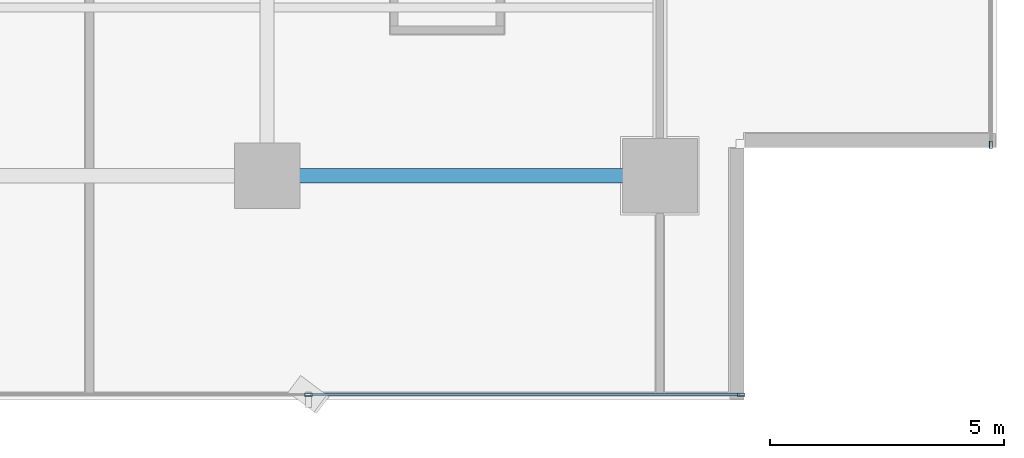
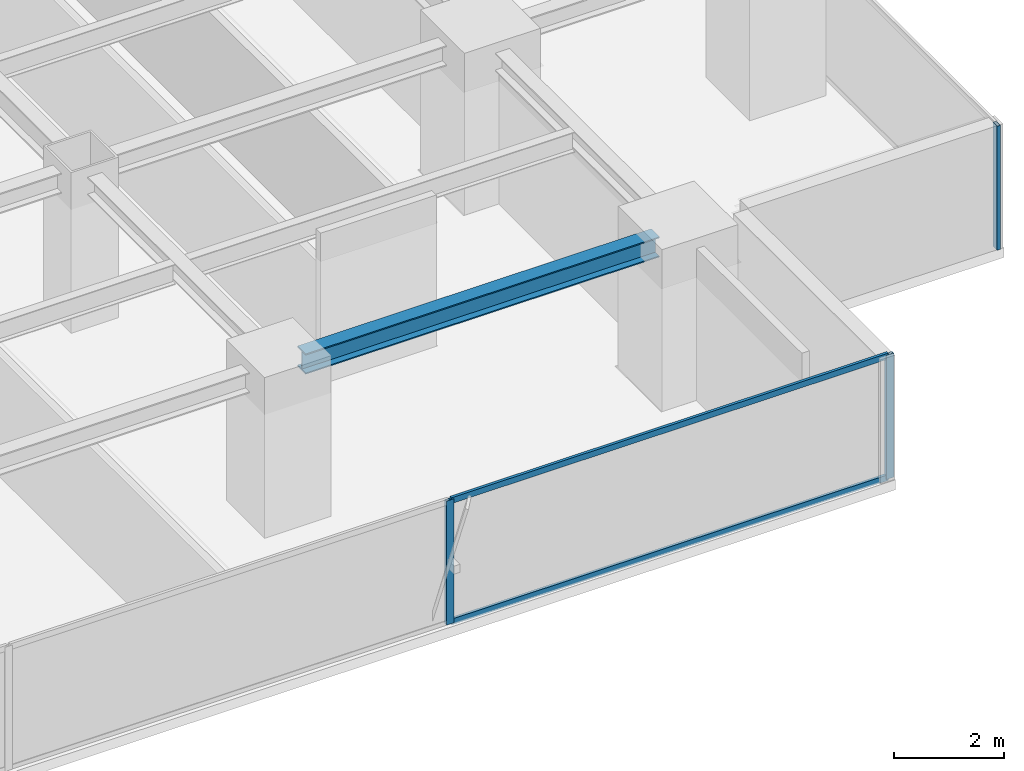
# One storey, part 9 of 27: 5 members, 1 beam, 2 elements without a shape of their own.
"""IFC4 building model written with IfcOpenShell, lengths in metres."""

from ifc_helpers import new_model, si_unit, direction, frame, origin, origin_2d, place, context, subcontext, project, spatial, hollow_rectangle, i_section, extrude, source, transform, mapped, material, layer, layer_set, material_profile, profile_set, type_object, element, aggregate, save


model = new_model("IFC4")

# Units and contexts
model_context = context("Model", 3, precision=1e-05, world=origin(), true_north=direction((0.0, 1.0)))
body_context = subcontext(model_context, "Body", "Model", "MODEL_VIEW")
ifc_project = project(units=[si_unit("LENGTHUNIT", "METRE"), si_unit("AREAUNIT", "SQUARE_METRE"), si_unit("VOLUMEUNIT", "CUBIC_METRE"), si_unit("PLANEANGLEUNIT", "RADIAN"), si_unit("MASSUNIT", "GRAM", prefix="KILO")], contexts=[model_context])

# Site, building, storey
site_placement = place(None, origin())
site = spatial("IfcSite", under=ifc_project, at=site_placement, CompositionType="ELEMENT")
building_placement = place(site_placement, origin())
building = spatial("IfcBuilding", under=site, at=building_placement, Name="Sumidabori Civic Tower", CompositionType="ELEMENT")
storey_placement = place(building_placement, frame((0.0, 0.0, 160.39990234375)))
storey = spatial("IfcBuildingStorey", under=building, at=storey_placement, Name="L41", CompositionType="ELEMENT", Elevation=160.39990234375)

# Beam
ifc_material_1 = material(Name="Steel SN490", Category="steel")
ifc_material_profile_1 = material_profile(ifc_material_1, i_section(OverallWidth=0.300048828125, OverallDepth=0.449951171875, WebThickness=0.013916015625, FlangeThickness=0.02587890625, at=origin_2d()), Name="HE 450 B")
ifc_profile_set_1 = profile_set([ifc_material_profile_1], Name="Steel SN490")
beam_type = type_object("IfcBeamType", Name="BM-GIRD-450", PredefinedType="BEAM", material=ifc_profile_set_1)
shared_shape_1 = source(origin(), body_context, "Body", "SweptSolid", [
    extrude(i_section(OverallWidth=0.300048828125, OverallDepth=0.449951171875, WebThickness=0.013916015625, FlangeThickness=0.02587890625, at=origin_2d()), origin(), (0.0, 0.0, 1.0), 7.440185546875),
])
beam_placement = place(storey_placement, frame((8.8798828125, -18.0, 3.155029296875), z_axis=(1.0, 0.0, 0.0), x_axis=(0.0, 1.0, 0.0)))
element("IfcBeam", 1, at=beam_placement, inside=storey, type_object=beam_type, Name="Primary Girder L41 GX-04", PredefinedType="BEAM", context=body_context, shape_type="MappedRepresentation", body=[
    mapped(shared_shape_1, transform((0.0, 0.0, 0.0), x_axis=(1.0, 0.0, 0.0), y_axis=(0.0, 1.0, 0.0), z_axis=(0.0, 0.0, 1.0), scale=1.0)),
])

# Curtain wall, members
ifc_material_2 = material(Name="Anodised Bronze Aluminium AW-6063-T6", Category="aluminium")
ifc_layer = layer(ifc_material_2, 0.179931640625, Name="Anodised Bronze Aluminium AW-6063-T6")
ifc_layer_set = layer_set([ifc_layer], Name="Anodised Bronze Aluminium AW-6063-T6")
curtain_wall_type = type_object("IfcCurtainWallType", Name="CW-SYS-3", PredefinedType="NOTDEFINED", material=ifc_layer_set)
curtain_wall_1_placement = place(storey_placement, origin())
curtain_wall_1 = element("IfcCurtainWall", 2, at=curtain_wall_1_placement, inside=storey, type_object=curtain_wall_type, Name="Curtain Wall CW:L41:R01", PredefinedType="NOTDEFINED")
ifc_material_profile_2 = material_profile(ifc_material_2, hollow_rectangle(XDim=0.06494140625, YDim=0.159912109375, WallThickness=0.0048828125, at=origin_2d()), Name="ALU MULLION 160x65")
ifc_profile_set_2 = profile_set([ifc_material_profile_2], Name="Anodised Bronze Aluminium AW-6063-T6")
member_type_1 = type_object("IfcMemberType", Name="CW-MUL-160", PredefinedType="MULLION", material=ifc_profile_set_2)
shared_shape_2 = source(origin(), body_context, "Body", "SweptSolid", [
    extrude(hollow_rectangle(XDim=0.06494140625, YDim=0.159912109375, WallThickness=0.0048828125, at=origin_2d()), origin(), (0.0, 0.0, 1.0), 2.760009765625),
])
member_1_placement = place(storey_placement, frame((9.284912109375, -22.679931640625, 0.0), z_axis=(0.0, 0.0, 1.0), x_axis=(0.0, 1.0, 0.0)))
member_1 = element("IfcMember", 3, at=member_1_placement, type_object=member_type_1, Name="CW-3 mullion 4", PredefinedType="MULLION", context=body_context, shape_type="MappedRepresentation", body=[
    mapped(shared_shape_2, transform((0.0, 0.0, 0.0), x_axis=(1.0, 0.0, 0.0), y_axis=(0.0, 1.0, 0.0), z_axis=(0.0, 0.0, 1.0), scale=1.0)),
])
member_2_placement = place(storey_placement, frame((18.53759765625, -22.679931640625, 0.0), z_axis=(0.0, 0.0, 1.0), x_axis=(0.0, 1.0, 0.0)))
member_2 = element("IfcMember", 4, at=member_2_placement, type_object=member_type_1, Name="CW-3 mullion 5", PredefinedType="MULLION", context=body_context, shape_type="MappedRepresentation", body=[
    mapped(shared_shape_2, transform((0.0, 0.0, 0.0), x_axis=(1.0, 0.0, 0.0), y_axis=(0.0, 1.0, 0.0), z_axis=(0.0, 0.0, 1.0), scale=1.0)),
])

# Curtain wall, member
curtain_wall_2_placement = place(storey_placement, origin())
curtain_wall_2 = element("IfcCurtainWall", 5, at=curtain_wall_2_placement, inside=storey, type_object=curtain_wall_type, Name="Curtain Wall CW:L41:R04", PredefinedType="NOTDEFINED")
member_3_placement = place(storey_placement, frame((23.8798828125, -17.33740234375, 0.0), z_axis=(0.0, 0.0, 1.0), x_axis=(-1.0, 0.0, 0.0)))
member_3 = element("IfcMember", 6, at=member_3_placement, type_object=member_type_1, Name="CW-3 mullion 1", PredefinedType="MULLION", context=body_context, shape_type="MappedRepresentation", body=[
    mapped(shared_shape_2, transform((0.0, 0.0, 0.0), x_axis=(1.0, 0.0, 0.0), y_axis=(0.0, 1.0, 0.0), z_axis=(0.0, 0.0, 1.0), scale=1.0)),
])
aggregate(curtain_wall_2, [member_3])

# Member
ifc_material_profile_3 = material_profile(ifc_material_2, hollow_rectangle(XDim=0.06005859375, YDim=0.1298828125, WallThickness=0.0048828125, at=origin_2d()), Name="ALU TRANSOM 130x60")
ifc_profile_set_3 = profile_set([ifc_material_profile_3], Name="Anodised Bronze Aluminium AW-6063-T6")
member_type_2 = type_object("IfcMemberType", Name="CW-TRN-130", PredefinedType="USERDEFINED", material=ifc_profile_set_3)
shared_shape_3 = source(origin(), body_context, "Body", "SweptSolid", [
    extrude(hollow_rectangle(XDim=0.06005859375, YDim=0.1298828125, WallThickness=0.0048828125, at=origin_2d()), origin(), (0.0, 0.0, 1.0), 9.1875),
])
member_4_placement = place(storey_placement, frame((9.3173828125, -22.679931640625, 0.030029296875), z_axis=(1.0, 0.0, 0.0), x_axis=(0.0, 1.0, 0.0)))
member_4 = element("IfcMember", 7, at=member_4_placement, type_object=member_type_2, Name="CW-3 transom 4.1", ObjectType="TRANSOM", PredefinedType="USERDEFINED", context=body_context, shape_type="MappedRepresentation", body=[
    mapped(shared_shape_3, transform((0.0, 0.0, 0.0), x_axis=(1.0, 0.0, 0.0), y_axis=(0.0, 1.0, 0.0), z_axis=(0.0, 0.0, 1.0), scale=1.0)),
])

member_5_placement = place(storey_placement, frame((9.3173828125, -22.679931640625, 2.72998046875), z_axis=(1.0, 0.0, 0.0), x_axis=(0.0, 1.0, 0.0)))
member_5 = element("IfcMember", 8, at=member_5_placement, type_object=member_type_2, Name="CW-3 transom 4.2", ObjectType="TRANSOM", PredefinedType="USERDEFINED", context=body_context, shape_type="MappedRepresentation", body=[
    mapped(shared_shape_3, transform((0.0, 0.0, 0.0), x_axis=(1.0, 0.0, 0.0), y_axis=(0.0, 1.0, 0.0), z_axis=(0.0, 0.0, 1.0), scale=1.0)),
])

aggregate(curtain_wall_1, [member_1, member_2, member_4, member_5])

save(model, "model.ifc")
